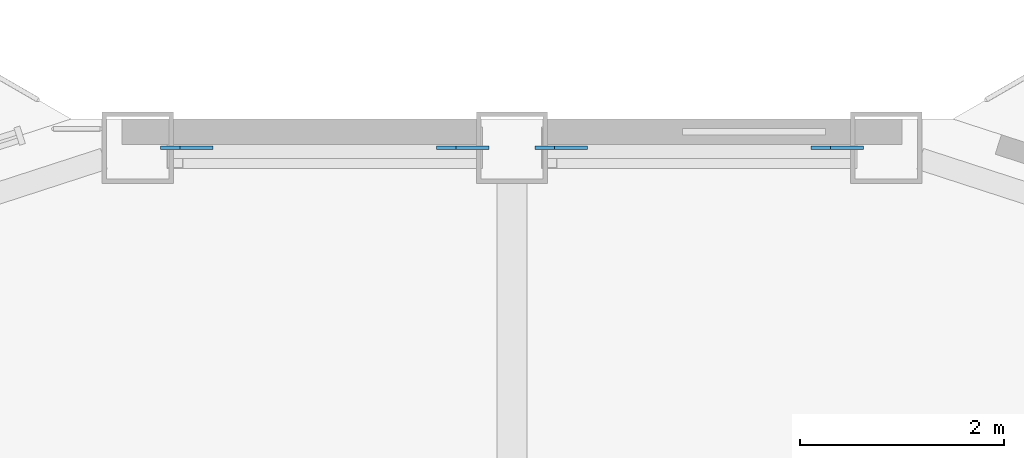
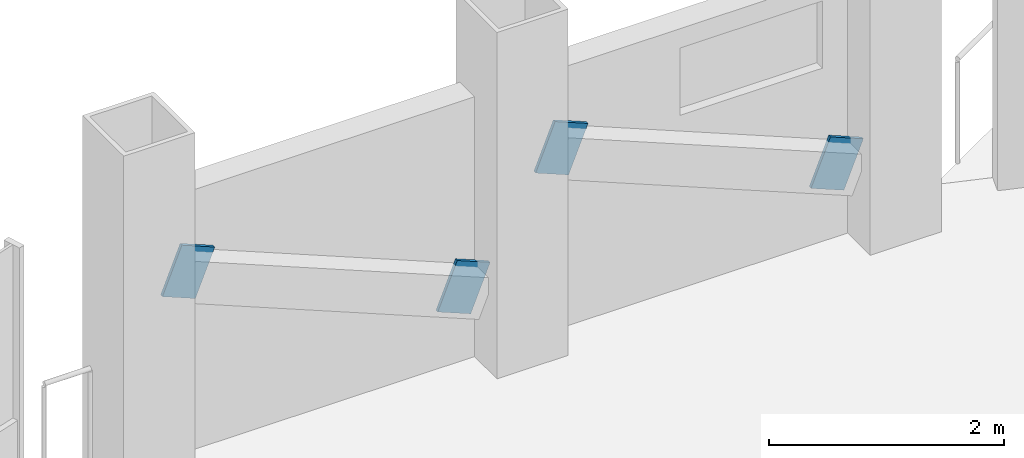
# One storey, part 18 of 24: 4 discrete accessories.
"""IFC4 building model written with IfcOpenShell, lengths in metres."""

from ifc_helpers import new_model, si_unit, direction, frame, origin, origin_2d, place, context, subcontext, project, spatial, rectangle, extrude, material, material_profile, profile_set, type_object, element, save


model = new_model("IFC4")

# Units and contexts
model_context = context("Model", 3, precision=1e-05, world=origin(), true_north=direction((0.0, 1.0)))
body_context = subcontext(model_context, "Body", "Model", "MODEL_VIEW")
ifc_project = project(units=[si_unit("LENGTHUNIT", "METRE"), si_unit("AREAUNIT", "SQUARE_METRE"), si_unit("VOLUMEUNIT", "CUBIC_METRE"), si_unit("PLANEANGLEUNIT", "RADIAN"), si_unit("MASSUNIT", "GRAM", prefix="KILO")], contexts=[model_context])

# Site, building, storey
site_placement = place(None, origin())
site = spatial("IfcSite", under=ifc_project, at=site_placement, CompositionType="ELEMENT")
building_placement = place(site_placement, origin())
building = spatial("IfcBuilding", under=site, at=building_placement, Name="Cormorant Prow Tower", CompositionType="ELEMENT")
storey_placement = place(building_placement, frame((0.0, 0.0, 238.199951171875)))
storey = spatial("IfcBuildingStorey", under=building, at=storey_placement, Name="L52", CompositionType="ELEMENT", Elevation=238.199951171875)

# Discrete accessories
ifc_material = material(Name="Structural steel ASTM A500 Gr C", Category="steel")
ifc_material_profile = material_profile(ifc_material, rectangle(XDim=0.031982421875, YDim=0.506103515625, at=origin_2d()), Name="Gusset plate 32x506")
ifc_profile_set = profile_set([ifc_material_profile], Name="Structural steel ASTM A500 Gr C")
discrete_accessory_type = type_object("IfcDiscreteAccessoryType", Name="Gusset plate 32x506", PredefinedType="BRACKET", material=ifc_profile_set)
discrete_accessory_1_placement = place(storey_placement, frame((3.027099609375, 32.073486328125, 0.863037109375), z_axis=(0.925757954086, 0.0, -0.378116662483), x_axis=(0.0, 1.0, 0.0)))
element("IfcDiscreteAccessory", 1, at=discrete_accessory_1_placement, inside=storey, type_object=discrete_accessory_type, Name="Gusset plate GP2 L52.N00.g0", PredefinedType="BRACKET", context=body_context, shape_type="SweptSolid", body=[
    extrude(rectangle(XDim=0.031982421875, YDim=0.506103515625, at=origin_2d()), origin(), (0.0, 0.0, 1.0), 0.349853515625),
])
discrete_accessory_2_placement = place(storey_placement, frame((0.643310546875, 32.073486328125, 1.837890625), z_axis=(-0.925513623242, 0.0, 0.378714316067), x_axis=(0.0, -1.0, 0.0)))
element("IfcDiscreteAccessory", 2, at=discrete_accessory_2_placement, inside=storey, type_object=discrete_accessory_type, Name="Gusset plate GP2 L52.N00.g1", PredefinedType="BRACKET", context=body_context, shape_type="SweptSolid", body=[
    extrude(rectangle(XDim=0.031982421875, YDim=0.506103515625, at=origin_2d()), origin(), (0.0, 0.0, 1.0), 0.35009765625),
])
discrete_accessory_3_placement = place(storey_placement, frame((-0.643310546875, 32.073486328125, 0.863037109375), z_axis=(0.925757954086, 0.0, -0.378116662483), x_axis=(0.0, 1.0, 0.0)))
element("IfcDiscreteAccessory", 3, at=discrete_accessory_3_placement, inside=storey, type_object=discrete_accessory_type, Name="Gusset plate GP2 L52.N01.g0", PredefinedType="BRACKET", context=body_context, shape_type="SweptSolid", body=[
    extrude(rectangle(XDim=0.031982421875, YDim=0.506103515625, at=origin_2d()), origin(), (0.0, 0.0, 1.0), 0.349853515625),
])
discrete_accessory_4_placement = place(storey_placement, frame((-3.027099609375, 32.073486328125, 1.837890625), z_axis=(-0.925513623242, 0.0, 0.378714316067), x_axis=(0.0, -1.0, 0.0)))
element("IfcDiscreteAccessory", 4, at=discrete_accessory_4_placement, inside=storey, type_object=discrete_accessory_type, Name="Gusset plate GP2 L52.N01.g1", PredefinedType="BRACKET", context=body_context, shape_type="SweptSolid", body=[
    extrude(rectangle(XDim=0.031982421875, YDim=0.506103515625, at=origin_2d()), origin(), (0.0, 0.0, 1.0), 0.35009765625),
])

save(model, "model.ifc")
